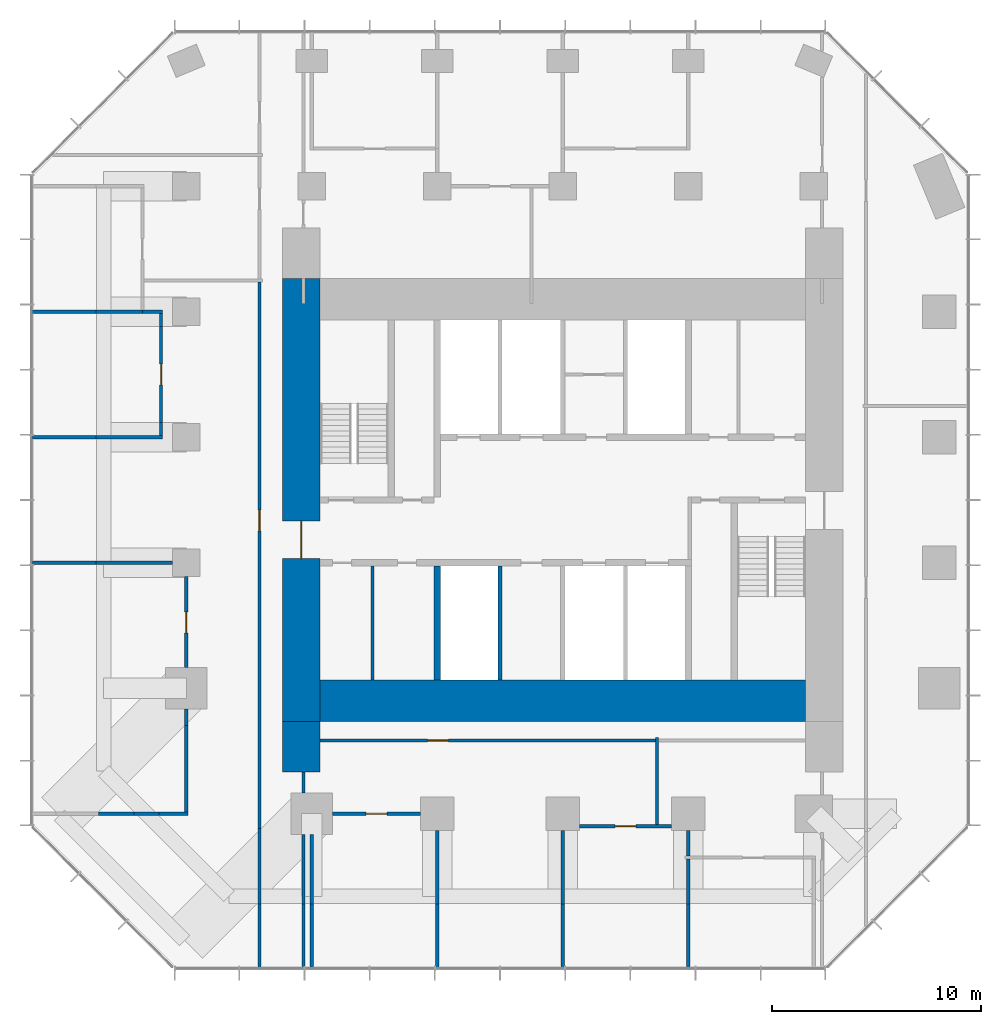
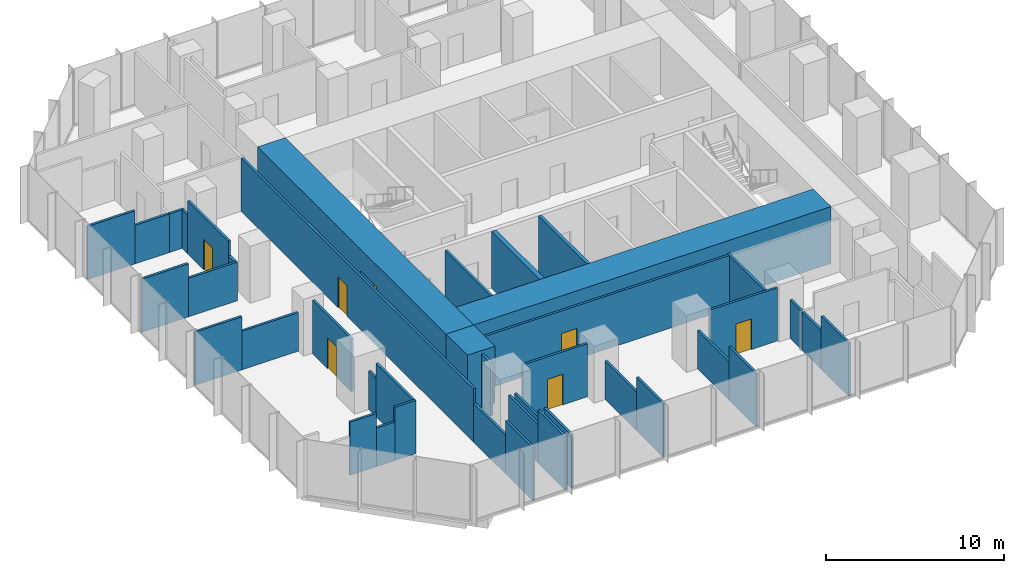
# One storey, part 8 of 12: 41 walls, 7 doors, 7 openings.
"""IFC4 building model written with IfcOpenShell, lengths in metres."""

from ifc_helpers import new_model, si_unit, direction, frame, frame_2d, origin, place, context, subcontext, project, spatial, rectangle, extrude, material, layer, layer_set, type_object, element, fill, save


model = new_model("IFC4")

# Units and contexts
model_context = context("Model", 3, precision=1e-05, world=origin(), true_north=direction((0.0, 1.0)))
body_context = subcontext(model_context, "Body", "Model", "MODEL_VIEW")
ifc_project = project(units=[si_unit("LENGTHUNIT", "METRE"), si_unit("AREAUNIT", "SQUARE_METRE"), si_unit("VOLUMEUNIT", "CUBIC_METRE"), si_unit("PLANEANGLEUNIT", "RADIAN"), si_unit("MASSUNIT", "GRAM", prefix="KILO")], contexts=[model_context])

# Site, building, storey
site_placement = place(None, origin())
site = spatial("IfcSite", under=ifc_project, at=site_placement, CompositionType="ELEMENT")
building_placement = place(site_placement, origin())
building = spatial("IfcBuilding", under=site, at=building_placement, Name="Highveld Stack Headquarters", CompositionType="ELEMENT")
storey_placement = place(building_placement, frame((0.0, 0.0, 231.800048828125)))
storey = spatial("IfcBuildingStorey", under=building, at=storey_placement, Name="L57", CompositionType="ELEMENT", Elevation=231.800048828125)

# Wall, opening, door
ifc_material_1 = material(Name="Concrete C60/75", Category="concrete")
ifc_layer_1 = layer(ifc_material_1, 1.800048828125)
ifc_layer_set_1 = layer_set([ifc_layer_1], Name="Concrete C60/75")
wall_type_1 = type_object("IfcWallType", Name="CORE WALL 1800 C60/75", PredefinedType="SHEAR", material=ifc_layer_set_1)
wall_1_placement = place(storey_placement, frame((-6.5, -7.60009765625, 0.0), z_axis=(0.0, 0.0, 1.0), x_axis=(0.0, 1.0, 0.0)))
wall_1 = element("IfcWall", 1, at=wall_1_placement, inside=storey, type_object=wall_type_1, Name="Core wall W L57", PredefinedType="SHEAR", context=body_context, shape_type="SweptSolid", body=[
    extrude(rectangle(XDim=21.2001953125, YDim=1.800048828125, at=frame_2d((10.60009765625, 0.0))), origin(), (0.0, 0.0, 1.0), 3.89990234375),
])
opening_1_placement = place(wall_1_placement, frame((7.800048828125, 0.0, 0.0)))
opening_1 = element("IfcOpeningElement", 2, at=opening_1_placement, cuts=wall_1, Name="Opening L57-01", PredefinedType="OPENING", context=body_context, shape_type="SweptSolid", body=[
    extrude(rectangle(XDim=1.800048828125, YDim=2.39990234375, at=frame_2d((0.89990234375, 1.199951171875))), frame((0.0, 0.909912109375, 0.0), z_axis=(0.0, -1.0, 0.0), x_axis=(1.0, 0.0, 0.0)), (0.0, 0.0, 1.0), 1.820068359375),
])
ifc_material_2 = material(Name="Steel fire door", Category="steel")
door_type_1 = type_object("IfcDoorType", Name="LOBBY FIRE DOOR D4 1800x2400", OperationType="DOUBLE_DOOR_SINGLE_SWING", PredefinedType="DOOR", material=ifc_material_2)
door_1_placement = place(opening_1_placement, origin())
door_1 = element("IfcDoor", 3, at=door_1_placement, inside=storey, type_object=door_type_1, Name="Core west door L57", OperationType="DOUBLE_DOOR_SINGLE_SWING", OverallHeight=2.39990234375, OverallWidth=1.800048828125, PredefinedType="DOOR", context=body_context, shape_type="SweptSolid", body=[
    extrude(rectangle(XDim=1.800048828125, YDim=2.39990234375, at=frame_2d((0.89990234375, 1.199951171875))), frame((0.0, 0.02490234375, 0.0), z_axis=(0.0, -1.0, 0.0), x_axis=(1.0, 0.0, 0.0)), (0.0, 0.0, 1.0), 0.050048828125),
])
fill(opening_1, door_1)

# Walls
ifc_material_3 = material(Name="Concrete C60/75", Category="concrete")
ifc_layer_2 = layer(ifc_material_3, 2.0)
ifc_layer_set_2 = layer_set([ifc_layer_2], Name="Concrete C60/75")
wall_type_2 = type_object("IfcWallType", Name="CORE WALL 2000 C60/75", PredefinedType="SHEAR", material=ifc_layer_set_2)
wall_2_placement = place(storey_placement, frame((-5.60009765625, -6.60009765625, 0.0), z_axis=(0.0, 0.0, 1.0), x_axis=(1.0, 0.0, 0.0)))
element("IfcWall", 4, at=wall_2_placement, inside=storey, type_object=wall_type_2, Name="Core wall S L57", PredefinedType="SHEAR", context=body_context, shape_type="SweptSolid", body=[
    extrude(rectangle(XDim=23.2001953125, YDim=2.0, at=frame_2d((11.60009765625, 0.0))), origin(), (0.0, 0.0, 1.0), 3.89990234375),
])
ifc_material_4 = material(Name="Concrete C60/75", Category="concrete")
ifc_layer_3 = layer(ifc_material_4, 0.300048828125)
ifc_layer_set_3 = layer_set([ifc_layer_3], Name="Concrete C60/75")
wall_type_3 = type_object("IfcWallType", Name="CORE WALL 300 C60/75", PredefinedType="SHEAR", material=ifc_layer_set_3)
wall_3_placement = place(storey_placement, frame((0.0, -5.60009765625, 0.0), z_axis=(0.0, 0.0, 1.0), x_axis=(0.0, 1.0, 0.0)))
element("IfcWall", 5, at=wall_3_placement, inside=storey, type_object=wall_type_3, Name="Core wall I-X0S L57", PredefinedType="SHEAR", context=body_context, shape_type="SweptSolid", body=[
    extrude(rectangle(XDim=5.4501953125, YDim=0.300048828125, at=frame_2d((2.72509765625, 0.0))), origin(), (0.0, 0.0, 1.0), 3.89990234375),
])
ifc_material_5 = material(Name="Concrete C60/75", Category="concrete")
ifc_layer_4 = layer(ifc_material_5, 1.800048828125)
ifc_layer_set_4 = layer_set([ifc_layer_4], Name="Concrete C60/75")
wall_type_4 = type_object("IfcWallType", Name="CORE WING WALL 1800 C60/75", PredefinedType="SHEAR", material=ifc_layer_set_4)
wall_4_placement = place(storey_placement, frame((-6.5, -10.0, 0.0), z_axis=(0.0, 0.0, 1.0), x_axis=(0.0, 1.0, 0.0)))
element("IfcWall", 6, at=wall_4_placement, inside=storey, type_object=wall_type_4, Name="Core wing wall WS L57", PredefinedType="SHEAR", context=body_context, shape_type="SweptSolid", body=[
    extrude(rectangle(XDim=2.39990234375, YDim=1.800048828125, at=frame_2d((1.199951171875, 0.0))), origin(), (0.0, 0.0, 1.0), 3.89990234375),
])

# Wall, opening, door
ifc_material_6 = material(Name="Laminated glass in aluminium frame", Category="aluminium")
ifc_layer_5 = layer(ifc_material_6, 0.14990234375)
ifc_layer_set_5 = layer_set([ifc_layer_5], Name="Laminated glass in aluminium frame")
wall_type_5 = type_object("IfcWallType", Name="GLAZED PARTITION 150", PredefinedType="PARTITIONING", material=ifc_layer_set_5)
wall_5_placement = place(storey_placement, frame((6.800048828125, -12.60009765625, 0.0), z_axis=(0.0, 0.0, 1.0), x_axis=(1.0, 0.0, 0.0)))
wall_5 = element("IfcWall", 7, at=wall_5_placement, inside=storey, type_object=wall_type_5, Name="Glazed partition Video conference room L57", PredefinedType="PARTITIONING", context=body_context, shape_type="SweptSolid", body=[
    extrude(rectangle(XDim=4.39990234375, YDim=0.14990234375, at=frame_2d((2.199951171875, 0.0))), origin(), (0.0, 0.0, 1.0), 3.64990234375),
])
opening_2_placement = place(wall_5_placement, frame((1.699951171875, 0.0, 0.0)))
opening_2 = element("IfcOpeningElement", 8, at=opening_2_placement, cuts=wall_5, Name="Opening L57-15", PredefinedType="OPENING", context=body_context, shape_type="SweptSolid", body=[
    extrude(rectangle(XDim=1.0, YDim=2.10009765625, at=frame_2d((0.5, 1.050048828125))), frame((0.0, 0.0849609375, 0.0), z_axis=(0.0, -1.0, 0.0), x_axis=(1.0, 0.0, 0.0)), (0.0, 0.0, 1.0), 0.169921875),
])
ifc_material_7 = material(Name="Timber door, oiled ash", Category="wood")
door_type_2 = type_object("IfcDoorType", Name="ROOM DOOR D6 1000x2100", OperationType="SINGLE_SWING_LEFT", PredefinedType="DOOR", material=ifc_material_7)
door_2_placement = place(opening_2_placement, origin())
door_2 = element("IfcDoor", 9, at=door_2_placement, inside=storey, type_object=door_type_2, Name="Video conference room door 1 L57", OperationType="SINGLE_SWING_LEFT", OverallHeight=2.10009765625, OverallWidth=1.0, PredefinedType="DOOR", context=body_context, shape_type="SweptSolid", body=[
    extrude(rectangle(XDim=1.0, YDim=2.10009765625, at=frame_2d((0.5, 1.050048828125))), frame((0.0, 0.02490234375, 0.0), z_axis=(0.0, -1.0, 0.0), x_axis=(1.0, 0.0, 0.0)), (0.0, 0.0, 1.0), 0.050048828125),
])
fill(opening_2, door_2)

wall_6_placement = place(storey_placement, frame((-5.0, -12.0, 0.0), z_axis=(0.0, 0.0, 1.0), x_axis=(1.0, 0.0, 0.0)))
wall_6 = element("IfcWall", 10, at=wall_6_placement, inside=storey, type_object=wall_type_5, Name="Glazed partition Meeting room L57", PredefinedType="PARTITIONING", context=body_context, shape_type="SweptSolid", body=[
    extrude(rectangle(XDim=4.199951171875, YDim=0.14990234375, at=frame_2d((2.10009765625, 0.0))), origin(), (0.0, 0.0, 1.0), 3.64990234375),
])
opening_3_placement = place(wall_6_placement, frame((1.60009765625, 0.0, 0.0)))
opening_3 = element("IfcOpeningElement", 11, at=opening_3_placement, cuts=wall_6, Name="Opening L57-14", PredefinedType="OPENING", context=body_context, shape_type="SweptSolid", body=[
    extrude(rectangle(XDim=1.0, YDim=2.10009765625, at=frame_2d((0.5, 1.050048828125))), frame((0.0, 0.0849609375, 0.0), z_axis=(0.0, -1.0, 0.0), x_axis=(1.0, 0.0, 0.0)), (0.0, 0.0, 1.0), 0.169921875),
])
door_3_placement = place(opening_3_placement, origin())
door_3 = element("IfcDoor", 12, at=door_3_placement, inside=storey, type_object=door_type_2, Name="Meeting room door 1 L57", OperationType="SINGLE_SWING_LEFT", OverallHeight=2.10009765625, OverallWidth=1.0, PredefinedType="DOOR", context=body_context, shape_type="SweptSolid", body=[
    extrude(rectangle(XDim=1.0, YDim=2.10009765625, at=frame_2d((0.5, 1.050048828125))), frame((0.0, 0.02490234375, 0.0), z_axis=(0.0, -1.0, 0.0), x_axis=(1.0, 0.0, 0.0)), (0.0, 0.0, 1.0), 0.050048828125),
])
fill(opening_3, door_3)

# Walls
ifc_material_8 = material(Name="Concrete blockwork, fair-faced", Category="masonry")
ifc_layer_6 = layer(ifc_material_8, 0.199951171875)
ifc_layer_set_6 = layer_set([ifc_layer_6], Name="Concrete blockwork, fair-faced")
wall_type_6 = type_object("IfcWallType", Name="LIFT SHAFT ENCLOSURE WALL 200 BLOCKWORK", PredefinedType="SOLIDWALL", material=ifc_layer_set_6)
wall_7_placement = place(storey_placement, frame((3.0, -5.60009765625, 0.0), z_axis=(0.0, 0.0, 1.0), x_axis=(0.0, 1.0, 0.0)))
element("IfcWall", 13, at=wall_7_placement, inside=storey, type_object=wall_type_6, Name="Lift shaft wall L57", PredefinedType="SOLIDWALL", context=body_context, shape_type="SweptSolid", body=[
    extrude(rectangle(XDim=5.4501953125, YDim=0.199951171875, at=frame_2d((2.72509765625, 0.0))), origin(), (0.0, 0.0, 1.0), 3.89990234375),
])
ifc_material_9 = material(Name="Gypsum plasterboard on steel studs", Category="steel")
ifc_layer_7 = layer(ifc_material_9, 0.14990234375)
ifc_layer_set_7 = layer_set([ifc_layer_7], Name="Gypsum plasterboard on steel studs")
wall_type_7 = type_object("IfcWallType", Name="PARTITION 150 PLASTERBOARD", PredefinedType="PARTITIONING", material=ifc_layer_set_7)
wall_8_placement = place(storey_placement, frame((-16.2080078125, -12.0, 0.0), z_axis=(0.0, 0.0, 1.0), x_axis=(1.0, 0.0, 0.0)))
element("IfcWall", 14, at=wall_8_placement, inside=storey, type_object=wall_type_7, Name="Partition Team office L57", PredefinedType="PARTITIONING", context=body_context, shape_type="SweptSolid", body=[
    extrude(rectangle(XDim=1.718017578125, YDim=0.14990234375, at=frame_2d((0.85888671875, 0.0))), origin(), (0.0, 0.0, 1.0), 3.64990234375),
])
wall_9_placement = place(storey_placement, frame((-14.489990234375, -12.0, 0.0), z_axis=(0.0, 0.0, 1.0), x_axis=(1.0, 0.0, 0.0)))
element("IfcWall", 15, at=wall_9_placement, inside=storey, type_object=wall_type_7, Name="Partition Team office L57", PredefinedType="PARTITIONING", context=body_context, shape_type="SweptSolid", body=[
    extrude(rectangle(XDim=1.179931640625, YDim=0.14990234375, at=frame_2d((0.58984375, 0.0))), origin(), (0.0, 0.0, 1.0), 2.64990234375),
])
wall_10_placement = place(storey_placement, frame((-13.31005859375, -12.0, 0.0), z_axis=(0.0, 0.0, 1.0), x_axis=(1.0, 0.0, 0.0)))
element("IfcWall", 16, at=wall_10_placement, inside=storey, type_object=wall_type_7, Name="Partition Team office L57", PredefinedType="PARTITIONING", context=body_context, shape_type="SweptSolid", body=[
    extrude(rectangle(XDim=1.385009765625, YDim=0.14990234375, at=frame_2d((0.6923828125, 0.0))), origin(), (0.0, 0.0, 1.0), 3.64990234375),
])
wall_11_placement = place(storey_placement, frame((-19.35009765625, 0.0, 0.0), z_axis=(0.0, 0.0, 1.0), x_axis=(1.0, 0.0, 0.0)))
element("IfcWall", 17, at=wall_11_placement, inside=storey, type_object=wall_type_7, Name="Partition Team office L57", PredefinedType="PARTITIONING", context=body_context, shape_type="SweptSolid", body=[
    extrude(rectangle(XDim=3.0400390625, YDim=0.14990234375, at=frame_2d((1.52001953125, 0.0))), origin(), (0.0, 0.0, 1.0), 3.64990234375),
])
wall_12_placement = place(storey_placement, frame((-16.31005859375, 0.0, 0.0), z_axis=(0.0, 0.0, 1.0), x_axis=(1.0, 0.0, 0.0)))
element("IfcWall", 18, at=wall_12_placement, inside=storey, type_object=wall_type_7, Name="Partition Team office L57", PredefinedType="PARTITIONING", context=body_context, shape_type="SweptSolid", body=[
    extrude(rectangle(XDim=3.66015625, YDim=0.14990234375, at=frame_2d((1.830078125, 0.0))), origin(), (0.0, 0.0, 1.0), 2.64990234375),
])
wall_13_placement = place(storey_placement, frame((-19.35009765625, 6.0, 0.0), z_axis=(0.0, 0.0, 1.0), x_axis=(1.0, 0.0, 0.0)))
element("IfcWall", 19, at=wall_13_placement, inside=storey, type_object=wall_type_7, Name="Partition Tea kitchen L57", PredefinedType="PARTITIONING", context=body_context, shape_type="SweptSolid", body=[
    extrude(rectangle(XDim=3.0400390625, YDim=0.14990234375, at=frame_2d((1.52001953125, 0.0))), origin(), (0.0, 0.0, 1.0), 3.64990234375),
])
wall_14_placement = place(storey_placement, frame((-16.31005859375, 6.0, 0.0), z_axis=(0.0, 0.0, 1.0), x_axis=(1.0, 0.0, 0.0)))
element("IfcWall", 20, at=wall_14_placement, inside=storey, type_object=wall_type_7, Name="Partition Tea kitchen L57", PredefinedType="PARTITIONING", context=body_context, shape_type="SweptSolid", body=[
    extrude(rectangle(XDim=3.18505859375, YDim=0.14990234375, at=frame_2d((1.592529296875, 0.0))), origin(), (0.0, 0.0, 1.0), 2.64990234375),
])
wall_15_placement = place(storey_placement, frame((-19.39990234375, 12.0, 0.0), z_axis=(0.0, 0.0, 1.0), x_axis=(1.0, 0.0, 0.0)))
element("IfcWall", 21, at=wall_15_placement, inside=storey, type_object=wall_type_7, Name="Partition Focus room / Tea kitchen L57", PredefinedType="PARTITIONING", context=body_context, shape_type="SweptSolid", body=[
    extrude(rectangle(XDim=3.08984375, YDim=0.14990234375, at=frame_2d((1.544921875, 0.0))), origin(), (0.0, 0.0, 1.0), 3.64990234375),
])
wall_16_placement = place(storey_placement, frame((-16.31005859375, 12.0, 0.0), z_axis=(0.0, 0.0, 1.0), x_axis=(1.0, 0.0, 0.0)))
element("IfcWall", 22, at=wall_16_placement, inside=storey, type_object=wall_type_7, Name="Partition Focus room / Tea kitchen L57", PredefinedType="PARTITIONING", context=body_context, shape_type="SweptSolid", body=[
    extrude(rectangle(XDim=2.28515625, YDim=0.14990234375, at=frame_2d((1.142578125, 0.0))), origin(), (0.0, 0.0, 1.0), 2.64990234375),
])
wall_17_placement = place(storey_placement, frame((-14.10009765625, 12.0, 0.0), z_axis=(0.0, 0.0, 1.0), x_axis=(1.0, 0.0, 0.0)))
element("IfcWall", 23, at=wall_17_placement, inside=storey, type_object=wall_type_7, Name="Partition Tea kitchen L57", PredefinedType="PARTITIONING", context=body_context, shape_type="SweptSolid", body=[
    extrude(rectangle(XDim=0.97509765625, YDim=0.14990234375, at=frame_2d((0.487548828125, 0.0))), origin(), (0.0, 0.0, 1.0), 2.64990234375),
])
wall_18_placement = place(storey_placement, frame((-13.199951171875, 6.074951171875, 0.0), z_axis=(0.0, 0.0, 1.0), x_axis=(0.0, 1.0, 0.0)))
element("IfcWall", 24, at=wall_18_placement, inside=storey, type_object=wall_type_7, Name="Partition Tea kitchen L57", PredefinedType="PARTITIONING", context=body_context, shape_type="SweptSolid", body=[
    extrude(rectangle(XDim=0.635009765625, YDim=0.14990234375, at=frame_2d((0.3173828125, 0.0))), origin(), (0.0, 0.0, 1.0), 2.64990234375),
])

# Wall, opening, door
wall_19_placement = place(storey_placement, frame((-13.199951171875, 6.7099609375, 0.0), z_axis=(0.0, 0.0, 1.0), x_axis=(0.0, 1.0, 0.0)))
wall_19 = element("IfcWall", 25, at=wall_19_placement, inside=storey, type_object=wall_type_7, Name="Partition Tea kitchen L57", PredefinedType="PARTITIONING", context=body_context, shape_type="SweptSolid", body=[
    extrude(rectangle(XDim=4.580078125, YDim=0.14990234375, at=frame_2d((2.2900390625, 0.0))), origin(), (0.0, 0.0, 1.0), 3.64990234375),
])
opening_4_placement = place(wall_19_placement, frame((1.7900390625, 0.0, 0.0)))
opening_4 = element("IfcOpeningElement", 26, at=opening_4_placement, cuts=wall_19, Name="Opening L57-18", PredefinedType="OPENING", context=body_context, shape_type="SweptSolid", body=[
    extrude(rectangle(XDim=1.0, YDim=2.10009765625, at=frame_2d((0.5, 1.050048828125))), frame((0.0, 0.0849609375, 0.0), z_axis=(0.0, -1.0, 0.0), x_axis=(1.0, 0.0, 0.0)), (0.0, 0.0, 1.0), 0.169921875),
])
door_4_placement = place(opening_4_placement, origin())
door_4 = element("IfcDoor", 27, at=door_4_placement, inside=storey, type_object=door_type_2, Name="Tea kitchen door 1 L57", OperationType="SINGLE_SWING_LEFT", OverallHeight=2.10009765625, OverallWidth=1.0, PredefinedType="DOOR", context=body_context, shape_type="SweptSolid", body=[
    extrude(rectangle(XDim=1.0, YDim=2.10009765625, at=frame_2d((0.5, 1.050048828125))), frame((0.0, 0.02490234375, 0.0), z_axis=(0.0, -1.0, 0.0), x_axis=(1.0, 0.0, 0.0)), (0.0, 0.0, 1.0), 0.050048828125),
])
fill(opening_4, door_4)

# Walls
wall_20_placement = place(storey_placement, frame((-13.199951171875, 11.2900390625, 0.0), z_axis=(0.0, 0.0, 1.0), x_axis=(0.0, 1.0, 0.0)))
element("IfcWall", 28, at=wall_20_placement, inside=storey, type_object=wall_type_7, Name="Partition Tea kitchen L57", PredefinedType="PARTITIONING", context=body_context, shape_type="SweptSolid", body=[
    extrude(rectangle(XDim=0.635009765625, YDim=0.14990234375, at=frame_2d((0.3173828125, 0.0))), origin(), (0.0, 0.0, 1.0), 2.64990234375),
])
wall_21_placement = place(storey_placement, frame((-12.0, -11.925048828125, 0.0), z_axis=(0.0, 0.0, 1.0), x_axis=(0.0, 1.0, 0.0)))
element("IfcWall", 29, at=wall_21_placement, inside=storey, type_object=wall_type_7, Name="Partition Team office L57", PredefinedType="PARTITIONING", context=body_context, shape_type="SweptSolid", body=[
    extrude(rectangle(XDim=4.133056640625, YDim=0.14990234375, at=frame_2d((2.06640625, 0.0))), origin(), (0.0, 0.0, 1.0), 3.64990234375),
])
wall_22_placement = place(storey_placement, frame((-12.0, -7.7919921875, 0.0), z_axis=(0.0, 0.0, 1.0), x_axis=(0.0, 1.0, 0.0)))
element("IfcWall", 30, at=wall_22_placement, inside=storey, type_object=wall_type_7, Name="Partition Team office L57", PredefinedType="PARTITIONING", context=body_context, shape_type="SweptSolid", body=[
    extrude(rectangle(XDim=0.7919921875, YDim=0.14990234375, at=frame_2d((0.39599609375, 0.0))), origin(), (0.0, 0.0, 1.0), 2.64990234375),
])

# Wall, opening, door
wall_23_placement = place(storey_placement, frame((-12.0, -5.0, 0.0), z_axis=(0.0, 0.0, 1.0), x_axis=(0.0, 1.0, 0.0)))
wall_23 = element("IfcWall", 31, at=wall_23_placement, inside=storey, type_object=wall_type_7, Name="Partition Team office L57", PredefinedType="PARTITIONING", context=body_context, shape_type="SweptSolid", body=[
    extrude(rectangle(XDim=4.340087890625, YDim=0.14990234375, at=frame_2d((2.169921875, 0.0))), origin(), (0.0, 0.0, 1.0), 3.64990234375),
])
opening_5_placement = place(wall_23_placement, frame((1.64501953125, 0.0, 0.0)))
opening_5 = element("IfcOpeningElement", 32, at=opening_5_placement, cuts=wall_23, Name="Opening L57-17", PredefinedType="OPENING", context=body_context, shape_type="SweptSolid", body=[
    extrude(rectangle(XDim=1.0, YDim=2.10009765625, at=frame_2d((0.5, 1.050048828125))), frame((0.0, 0.0849609375, 0.0), z_axis=(0.0, -1.0, 0.0), x_axis=(1.0, 0.0, 0.0)), (0.0, 0.0, 1.0), 0.169921875),
])
door_5_placement = place(opening_5_placement, origin())
door_5 = element("IfcDoor", 33, at=door_5_placement, inside=storey, type_object=door_type_2, Name="Team office door 1 L57", OperationType="SINGLE_SWING_RIGHT", OverallHeight=2.10009765625, OverallWidth=1.0, PredefinedType="DOOR", context=body_context, shape_type="SweptSolid", body=[
    extrude(rectangle(XDim=1.0, YDim=2.10009765625, at=frame_2d((0.5, 1.050048828125))), frame((0.0, 0.02490234375, 0.0), z_axis=(0.0, -1.0, 0.0), x_axis=(1.0, 0.0, 0.0)), (0.0, 0.0, 1.0), 0.050048828125),
])
fill(opening_5, door_5)

# Walls
wall_24_placement = place(storey_placement, frame((-6.0, -19.39990234375, 0.0), z_axis=(0.0, 0.0, 1.0), x_axis=(0.0, 1.0, 0.0)))
element("IfcWall", 34, at=wall_24_placement, inside=storey, type_object=wall_type_7, Name="Partition Meeting room L57", PredefinedType="PARTITIONING", context=body_context, shape_type="SweptSolid", body=[
    extrude(rectangle(XDim=3.08984375, YDim=0.14990234375, at=frame_2d((1.544921875, 0.0))), origin(), (0.0, 0.0, 1.0), 3.64990234375),
])
wall_25_placement = place(storey_placement, frame((-6.0, -16.31005859375, 0.0), z_axis=(0.0, 0.0, 1.0), x_axis=(0.0, 1.0, 0.0)))
element("IfcWall", 35, at=wall_25_placement, inside=storey, type_object=wall_type_7, Name="Partition Meeting room L57", PredefinedType="PARTITIONING", context=body_context, shape_type="SweptSolid", body=[
    extrude(rectangle(XDim=3.31005859375, YDim=0.14990234375, at=frame_2d((1.655029296875, 0.0))), origin(), (0.0, 0.0, 1.0), 2.64990234375),
])
wall_26_placement = place(storey_placement, frame((0.0, -19.35009765625, 0.0), z_axis=(0.0, 0.0, 1.0), x_axis=(0.0, 1.0, 0.0)))
element("IfcWall", 36, at=wall_26_placement, inside=storey, type_object=wall_type_7, Name="Partition Meeting room L57", PredefinedType="PARTITIONING", context=body_context, shape_type="SweptSolid", body=[
    extrude(rectangle(XDim=3.0400390625, YDim=0.14990234375, at=frame_2d((1.52001953125, 0.0))), origin(), (0.0, 0.0, 1.0), 3.64990234375),
])
wall_27_placement = place(storey_placement, frame((0.0, -16.31005859375, 0.0), z_axis=(0.0, 0.0, 1.0), x_axis=(0.0, 1.0, 0.0)))
element("IfcWall", 37, at=wall_27_placement, inside=storey, type_object=wall_type_7, Name="Partition Meeting room L57", PredefinedType="PARTITIONING", context=body_context, shape_type="SweptSolid", body=[
    extrude(rectangle(XDim=3.510009765625, YDim=0.14990234375, at=frame_2d((1.7548828125, 0.0))), origin(), (0.0, 0.0, 1.0), 2.64990234375),
])
wall_28_placement = place(storey_placement, frame((6.0, -19.35009765625, 0.0), z_axis=(0.0, 0.0, 1.0), x_axis=(0.0, 1.0, 0.0)))
element("IfcWall", 38, at=wall_28_placement, inside=storey, type_object=wall_type_7, Name="Partition Video conference room L57", PredefinedType="PARTITIONING", context=body_context, shape_type="SweptSolid", body=[
    extrude(rectangle(XDim=3.0400390625, YDim=0.14990234375, at=frame_2d((1.52001953125, 0.0))), origin(), (0.0, 0.0, 1.0), 3.64990234375),
])
wall_29_placement = place(storey_placement, frame((6.0, -16.31005859375, 0.0), z_axis=(0.0, 0.0, 1.0), x_axis=(0.0, 1.0, 0.0)))
element("IfcWall", 39, at=wall_29_placement, inside=storey, type_object=wall_type_7, Name="Partition Video conference room L57", PredefinedType="PARTITIONING", context=body_context, shape_type="SweptSolid", body=[
    extrude(rectangle(XDim=3.510009765625, YDim=0.14990234375, at=frame_2d((1.7548828125, 0.0))), origin(), (0.0, 0.0, 1.0), 2.64990234375),
])
wall_30_placement = place(storey_placement, frame((12.0, -19.39990234375, 0.0), z_axis=(0.0, 0.0, 1.0), x_axis=(0.0, 1.0, 0.0)))
element("IfcWall", 40, at=wall_30_placement, inside=storey, type_object=wall_type_7, Name="Partition Focus room / Video conference room L57", PredefinedType="PARTITIONING", context=body_context, shape_type="SweptSolid", body=[
    extrude(rectangle(XDim=3.08984375, YDim=0.14990234375, at=frame_2d((1.544921875, 0.0))), origin(), (0.0, 0.0, 1.0), 3.64990234375),
])
wall_31_placement = place(storey_placement, frame((12.0, -16.31005859375, 0.0), z_axis=(0.0, 0.0, 1.0), x_axis=(0.0, 1.0, 0.0)))
element("IfcWall", 41, at=wall_31_placement, inside=storey, type_object=wall_type_7, Name="Partition Focus room / Video conference room L57", PredefinedType="PARTITIONING", context=body_context, shape_type="SweptSolid", body=[
    extrude(rectangle(XDim=2.135009765625, YDim=0.14990234375, at=frame_2d((1.0673828125, 0.0))), origin(), (0.0, 0.0, 1.0), 2.64990234375),
])
wall_32_placement = place(storey_placement, frame((12.0, -14.02490234375, 0.0), z_axis=(0.0, 0.0, 1.0), x_axis=(0.0, 1.0, 0.0)))
element("IfcWall", 42, at=wall_32_placement, inside=storey, type_object=wall_type_7, Name="Partition Video conference room L57", PredefinedType="PARTITIONING", context=body_context, shape_type="SweptSolid", body=[
    extrude(rectangle(XDim=1.224853515625, YDim=0.14990234375, at=frame_2d((0.6123046875, 0.0))), origin(), (0.0, 0.0, 1.0), 2.64990234375),
])
wall_33_placement = place(storey_placement, frame((-8.5, -19.39990234375, 0.0), z_axis=(0.0, 0.0, 1.0), x_axis=(0.0, 1.0, 0.0)))
element("IfcWall", 43, at=wall_33_placement, inside=storey, type_object=wall_type_7, Name="Partition office neighbourhood L57", PredefinedType="PARTITIONING", context=body_context, shape_type="SweptSolid", body=[
    extrude(rectangle(XDim=3.08984375, YDim=0.14990234375, at=frame_2d((1.544921875, 0.0))), origin(), (0.0, 0.0, 1.0), 3.64990234375),
])
wall_34_placement = place(storey_placement, frame((-8.5, -16.31005859375, 0.0), z_axis=(0.0, 0.0, 1.0), x_axis=(0.0, 1.0, 0.0)))
element("IfcWall", 44, at=wall_34_placement, inside=storey, type_object=wall_type_7, Name="Partition office neighbourhood L57", PredefinedType="PARTITIONING", context=body_context, shape_type="SweptSolid", body=[
    extrude(rectangle(XDim=3.60205078125, YDim=0.14990234375, at=frame_2d((1.801025390625, 0.0))), origin(), (0.0, 0.0, 1.0), 2.64990234375),
])

# Wall, opening, door
wall_35_placement = place(storey_placement, frame((-8.5, -12.7080078125, 0.0), z_axis=(0.0, 0.0, 1.0), x_axis=(0.0, 1.0, 0.0)))
wall_35 = element("IfcWall", 45, at=wall_35_placement, inside=storey, type_object=wall_type_7, Name="Partition office neighbourhood L57", PredefinedType="PARTITIONING", context=body_context, shape_type="SweptSolid", body=[
    extrude(rectangle(XDim=26.133056640625, YDim=0.14990234375, at=frame_2d((13.06640625, 0.0))), origin(), (0.0, 0.0, 1.0), 3.64990234375),
])
opening_6_placement = place(wall_35_placement, frame((14.227783203125, 0.0, 0.0)))
opening_6 = element("IfcOpeningElement", 46, at=opening_6_placement, cuts=wall_35, Name="Opening L57-24", PredefinedType="OPENING", context=body_context, shape_type="SweptSolid", body=[
    extrude(rectangle(XDim=1.0, YDim=2.10009765625, at=frame_2d((0.5, 1.050048828125))), frame((0.0, 0.0849609375, 0.0), z_axis=(0.0, -1.0, 0.0), x_axis=(1.0, 0.0, 0.0)), (0.0, 0.0, 1.0), 0.169921875),
])
door_6_placement = place(opening_6_placement, origin())
door_6 = element("IfcDoor", 47, at=door_6_placement, inside=storey, type_object=door_type_2, Name="Office neighbourhood door L57", OperationType="SINGLE_SWING_RIGHT", OverallHeight=2.10009765625, OverallWidth=1.0, PredefinedType="DOOR", context=body_context, shape_type="SweptSolid", body=[
    extrude(rectangle(XDim=1.0, YDim=2.10009765625, at=frame_2d((0.5, 1.050048828125))), frame((0.0, 0.02490234375, 0.0), z_axis=(0.0, -1.0, 0.0), x_axis=(1.0, 0.0, 0.0)), (0.0, 0.0, 1.0), 0.050048828125),
])
fill(opening_6, door_6)

# Walls
wall_36_placement = place(storey_placement, frame((-6.39990234375, -19.35009765625, 0.0), z_axis=(0.0, 0.0, 1.0), x_axis=(0.0, 1.0, 0.0)))
element("IfcWall", 48, at=wall_36_placement, inside=storey, type_object=wall_type_7, Name="Partition office neighbourhood L57", PredefinedType="PARTITIONING", context=body_context, shape_type="SweptSolid", body=[
    extrude(rectangle(XDim=3.0400390625, YDim=0.14990234375, at=frame_2d((1.52001953125, 0.0))), origin(), (0.0, 0.0, 1.0), 3.64990234375),
])
wall_37_placement = place(storey_placement, frame((-6.39990234375, -16.31005859375, 0.0), z_axis=(0.0, 0.0, 1.0), x_axis=(0.0, 1.0, 0.0)))
element("IfcWall", 49, at=wall_37_placement, inside=storey, type_object=wall_type_7, Name="Partition office neighbourhood L57", PredefinedType="PARTITIONING", context=body_context, shape_type="SweptSolid", body=[
    extrude(rectangle(XDim=3.31005859375, YDim=0.14990234375, at=frame_2d((1.655029296875, 0.0))), origin(), (0.0, 0.0, 1.0), 2.64990234375),
])
wall_38_placement = place(storey_placement, frame((-6.39990234375, -11.0, 0.0), z_axis=(0.0, 0.0, 1.0), x_axis=(0.0, 1.0, 0.0)))
element("IfcWall", 50, at=wall_38_placement, inside=storey, type_object=wall_type_7, Name="Partition office neighbourhood L57", PredefinedType="PARTITIONING", context=body_context, shape_type="SweptSolid", body=[
    extrude(rectangle(XDim=1.0, YDim=0.14990234375, at=frame_2d((0.5, 0.0))), origin(), (0.0, 0.0, 1.0), 3.64990234375),
])

# Wall, opening, door
wall_39_placement = place(storey_placement, frame((10.425048828125, -8.5, 0.0), z_axis=(0.0, 0.0, 1.0), x_axis=(-1.0, 0.0, 0.0)))
wall_39 = element("IfcWall", 51, at=wall_39_placement, inside=storey, type_object=wall_type_7, Name="Partition office neighbourhood L57", PredefinedType="PARTITIONING", context=body_context, shape_type="SweptSolid", body=[
    extrude(rectangle(XDim=16.025146484375, YDim=0.14990234375, at=frame_2d((8.0126953125, 0.0))), origin(), (0.0, 0.0, 1.0), 3.64990234375),
])
opening_7_placement = place(wall_39_placement, frame((9.889892578125, 0.0, 0.0)))
opening_7 = element("IfcOpeningElement", 52, at=opening_7_placement, cuts=wall_39, Name="Opening L57-30", PredefinedType="OPENING", context=body_context, shape_type="SweptSolid", body=[
    extrude(rectangle(XDim=1.0, YDim=2.10009765625, at=frame_2d((0.5, 1.050048828125))), frame((0.0, 0.0849609375, 0.0), z_axis=(0.0, -1.0, 0.0), x_axis=(1.0, 0.0, 0.0)), (0.0, 0.0, 1.0), 0.169921875),
])
door_7_placement = place(opening_7_placement, origin())
door_7 = element("IfcDoor", 53, at=door_7_placement, inside=storey, type_object=door_type_2, Name="Office neighbourhood door L57", OperationType="SINGLE_SWING_RIGHT", OverallHeight=2.10009765625, OverallWidth=1.0, PredefinedType="DOOR", context=body_context, shape_type="SweptSolid", body=[
    extrude(rectangle(XDim=1.0, YDim=2.10009765625, at=frame_2d((0.5, 1.050048828125))), frame((0.0, 0.02490234375, 0.0), z_axis=(0.0, -1.0, 0.0), x_axis=(1.0, 0.0, 0.0)), (0.0, 0.0, 1.0), 0.050048828125),
])
fill(opening_7, door_7)

# Walls
wall_40_placement = place(storey_placement, frame((10.5, -12.52490234375, 0.0), z_axis=(0.0, 0.0, 1.0), x_axis=(0.0, 1.0, 0.0)))
element("IfcWall", 54, at=wall_40_placement, inside=storey, type_object=wall_type_7, Name="Partition office neighbourhood L57", PredefinedType="PARTITIONING", context=body_context, shape_type="SweptSolid", body=[
    extrude(rectangle(XDim=4.1748046875, YDim=0.14990234375, at=frame_2d((2.08740234375, 0.0))), origin(), (0.0, 0.0, 1.0), 3.64990234375),
])
ifc_material_10 = material(Name="Concrete blockwork, tiled", Category="masonry")
ifc_layer_8 = layer(ifc_material_10, 0.14990234375)
ifc_layer_set_8 = layer_set([ifc_layer_8], Name="Concrete blockwork, tiled")
wall_type_8 = type_object("IfcWallType", Name="WC PARTITION 150", PredefinedType="PLUMBINGWALL", material=ifc_layer_set_8)
wall_41_placement = place(storey_placement, frame((-3.10009765625, -5.60009765625, 0.0), z_axis=(0.0, 0.0, 1.0), x_axis=(0.0, 1.0, 0.0)))
element("IfcWall", 55, at=wall_41_placement, inside=storey, type_object=wall_type_8, Name="Toilet partition L57", PredefinedType="PLUMBINGWALL", context=body_context, shape_type="SweptSolid", body=[
    extrude(rectangle(XDim=5.4501953125, YDim=0.14990234375, at=frame_2d((2.72509765625, 0.0))), origin(), (0.0, 0.0, 1.0), 3.64990234375),
])

save(model, "model.ifc")
